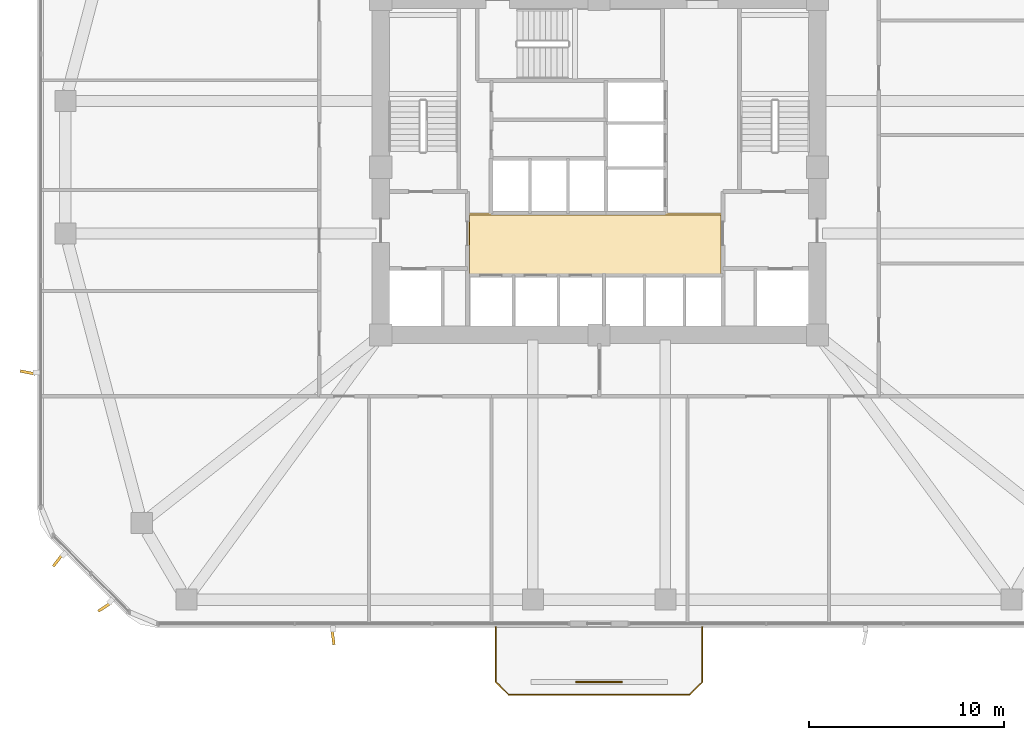
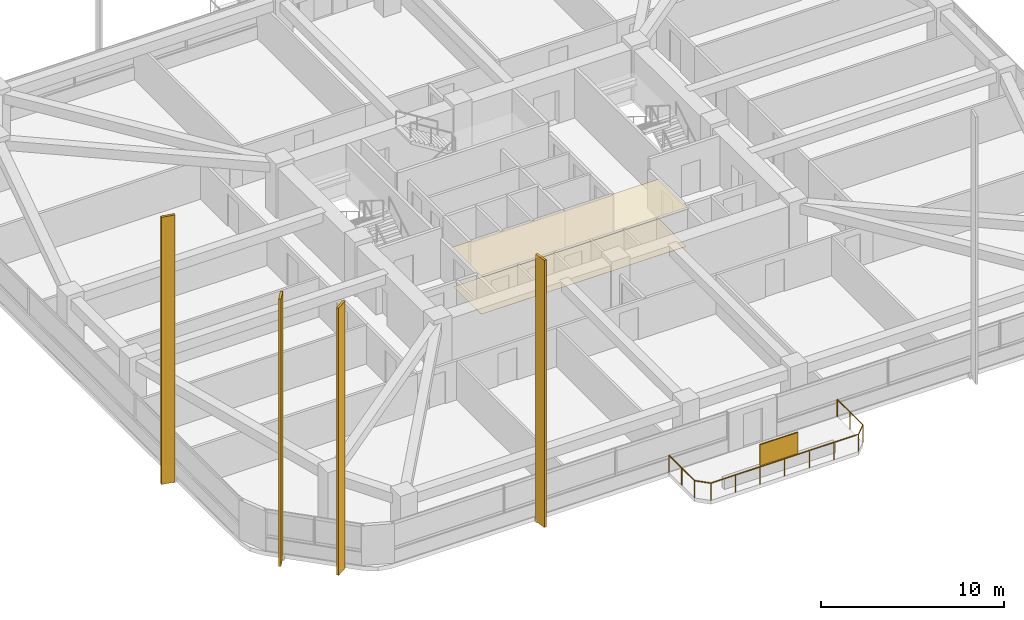
# One storey, part 13 of 17: 5 shading devices, 2 coverings, 1 railing.
"""IFC4 building model written with IfcOpenShell, lengths in metres."""

from ifc_helpers import new_model, si_unit, derived_unit, direction, frame, origin, origin_2d, place, context, subcontext, project, spatial, polyline, rectangle, outline, extrude, material, layer, layer_set, type_object, element, save


model = new_model("IFC4")

# Units and contexts
model_context = context("Model", 3, precision=1e-05, world=origin(), true_north=direction((0.0, 1.0)))
body_context = subcontext(model_context, "Body", "Model", "MODEL_VIEW")
ifc_project = project(units=[si_unit("LENGTHUNIT", "METRE"), si_unit("AREAUNIT", "SQUARE_METRE"), si_unit("VOLUMEUNIT", "CUBIC_METRE"), si_unit("PLANEANGLEUNIT", "RADIAN"), si_unit("MASSUNIT", "GRAM", prefix="KILO"), derived_unit("THERMALTRANSMITTANCEUNIT", [(si_unit("POWERUNIT", "WATT"), 1), (si_unit("LENGTHUNIT", "METRE"), -2), (si_unit("THERMODYNAMICTEMPERATUREUNIT", "KELVIN"), -1)])], contexts=[model_context])

# Site, building, storey
site_placement = place(None, origin())
site = spatial("IfcSite", under=ifc_project, at=site_placement, CompositionType="ELEMENT")
building_placement = place(site_placement, origin())
building = spatial("IfcBuilding", under=site, at=building_placement, Name="Koralith Skygarden Medical Center", CompositionType="ELEMENT")
storey_placement = place(building_placement, frame((0.0, 0.0, 67.139892578125)))
storey = spatial("IfcBuildingStorey", under=building, at=storey_placement, Name="L17", CompositionType="ELEMENT", Elevation=67.139892578125)

# Covering
ifc_material_1 = material(Name="Acoustic Mineral Tile")
ifc_layer_1 = layer(ifc_material_1, 0.02001953125)
ifc_layer_set_1 = layer_set([ifc_layer_1], Name="Acoustic Mineral Tile")
covering_type_1 = type_object("IfcCoveringType", Name="Acoustic Hygienic Mineral Ceiling 20", PredefinedType="CEILING", material=ifc_layer_set_1)
covering_1_placement = place(storey_placement, frame((0.0, 0.0, 2.565185546875)))
element("IfcCovering", 1, at=covering_1_placement, inside=storey, type_object=covering_type_1, Name="L17 Core Lobby Acoustic Ceiling", PredefinedType="CEILING", context=body_context, shape_type="SweptSolid", body=[
    extrude(outline(polyline([(30.25, 20.320068359375), (43.35009765625, 20.320068359375), (43.35009765625, 23.56005859375), (30.25, 23.56005859375), (30.25, 20.320068359375)])), origin(), (0.0, 0.0, 1.0), 0.02001953125),
])

# Shading devices
ifc_material_2 = material(Name="Aluminium 6063-T6", Category="aluminium")
shading_device_type_1 = type_object("IfcShadingDeviceType", Name="Limestone-Clad Solar Storm Fin 780", PredefinedType="USERDEFINED", material=ifc_material_2)
for number, where, z_axis, x_axis, name in (
    (2, (23.35009765625, 1.7900390625, -0.199951171875), (0.0, 0.0, 1.0), (0.134453160355, -0.990919950183, 0.0), "L17 S Harmonic Solar Storm Fin 1"),
    (3, (7.68994140625, 15.3701171875, -0.199951171875), (0.0, 0.0, 1.0), (-0.979335915684, 0.202240362568, 0.0), "L17 W Harmonic Solar Storm Fin 2"),
    (4, (9.239990234375, 5.738037109375, -0.199951171875), (0.0, 0.0, 1.0), (-0.605613474948, -0.795758957826, 0.0), "L17 SW Harmonic Solar Storm Fin 1"),
    (5, (11.637939453125, 3.340087890625, -0.199951171875), (0.0, 0.0, 1.0), (-0.835500598841, -0.549489535238, 0.0), "L17 SW Harmonic Solar Storm Fin 2"),
):
    element("IfcShadingDevice", number, at=place(storey_placement, frame(where, z_axis=z_axis, x_axis=x_axis)), inside=storey, type_object=shading_device_type_1, Name=name, ObjectType="SOLAR FIN", PredefinedType="USERDEFINED", context=body_context, shape_type="SweptSolid", body=[
        extrude(rectangle(XDim=0.780029296875, YDim=0.139892578125, at=origin_2d()), origin(), (0.0, 0.0, 1.0), 17.7900390625),
    ])

# Railing
ifc_material_3 = material(Name="Steel ASTM A500 Grade C", Category="steel")
railing_type = type_object("IfcRailingType", Name="Outdoor Terrace & Balcony Safety Guardrail 1180", PredefinedType="GUARDRAIL", material=ifc_material_3)
railing_placement = place(storey_placement, frame((31.699951171875, 2.300048828125, 0.0)))
element("IfcRailing", 6, at=railing_placement, inside=storey, type_object=railing_type, Name="L17 S Balcony Perimeter Guardrail", PredefinedType="GUARDRAIL", context=body_context, shape_type="SweptSolid", body=[
    extrude(rectangle(XDim=0.050048828125, YDim=0.050048828125, at=origin_2d()), frame((0.0, -0.001953125, 1.15478515625), z_axis=(0.0, -1.0, 0.0), x_axis=(1.0, 0.0, 0.0)), (0.0, 0.0, 1.0), 2.796142578125),
    extrude(rectangle(XDim=0.050048828125, YDim=0.050048828125, at=origin_2d()), frame((0.00146484375, -2.801513671875, 1.15478515625), z_axis=(0.707239558722, -0.706973978714, 0.0), x_axis=(0.706973978714, 0.707239558722, 0.0)), (0.0, 0.0, 1.0), 0.915283203125),
    extrude(rectangle(XDim=0.050048828125, YDim=0.050048828125, at=origin_2d()), frame((0.652099609375, -3.449951171875, 1.15478515625), z_axis=(1.0, 0.0, 0.0), x_axis=(0.0, 1.0, 0.0)), (0.0, 0.0, 1.0), 9.2958984375),
    extrude(rectangle(XDim=0.050048828125, YDim=0.050048828125, at=origin_2d()), frame((9.951416015625, -3.448486328125, 1.15478515625), z_axis=(0.707239558722, 0.706973978714, 0.0), x_axis=(-0.706973978714, 0.707239558722, 0.0)), (0.0, 0.0, 1.0), 0.915283203125),
    extrude(rectangle(XDim=0.050048828125, YDim=0.050048828125, at=origin_2d()), frame((10.60009765625, -2.798095703125, 1.15478515625), z_axis=(0.0, 1.0, 0.0), x_axis=(-1.0, 0.0, 0.0)), (0.0, 0.0, 1.0), 2.796142578125),
    extrude(rectangle(XDim=0.0419921875, YDim=0.0419921875, at=origin_2d()), origin(), (0.0, 0.0, 1.0), 1.1279296875),
    extrude(rectangle(XDim=0.0419921875, YDim=0.0419921875, at=origin_2d()), frame((0.0, -1.39990234375, 0.0)), (0.0, 0.0, 1.0), 1.1279296875),
    extrude(rectangle(XDim=0.0419921875, YDim=0.0419921875, at=origin_2d()), frame((0.0, -2.800048828125, 0.0)), (0.0, 0.0, 1.0), 1.1279296875),
    extrude(rectangle(XDim=0.0419921875, YDim=0.0419921875, at=origin_2d()), frame((0.650146484375, -3.449951171875, 0.0)), (0.0, 0.0, 1.0), 1.1279296875),
    extrude(rectangle(XDim=0.0419921875, YDim=0.0419921875, at=origin_2d()), frame((2.2001953125, -3.449951171875, 0.0)), (0.0, 0.0, 1.0), 1.1279296875),
    extrude(rectangle(XDim=0.0419921875, YDim=0.0419921875, at=origin_2d()), frame((3.75, -3.449951171875, 0.0)), (0.0, 0.0, 1.0), 1.1279296875),
    extrude(rectangle(XDim=0.0419921875, YDim=0.0419921875, at=origin_2d()), frame((5.300048828125, -3.449951171875, 0.0)), (0.0, 0.0, 1.0), 1.1279296875),
    extrude(rectangle(XDim=0.0419921875, YDim=0.0419921875, at=origin_2d()), frame((6.85009765625, -3.449951171875, 0.0)), (0.0, 0.0, 1.0), 1.1279296875),
    extrude(rectangle(XDim=0.0419921875, YDim=0.0419921875, at=origin_2d()), frame((8.39990234375, -3.449951171875, 0.0)), (0.0, 0.0, 1.0), 1.1279296875),
    extrude(rectangle(XDim=0.0419921875, YDim=0.0419921875, at=origin_2d()), frame((9.949951171875, -3.449951171875, 0.0)), (0.0, 0.0, 1.0), 1.1279296875),
    extrude(rectangle(XDim=0.0419921875, YDim=0.0419921875, at=origin_2d()), frame((10.60009765625, -2.800048828125, 0.0)), (0.0, 0.0, 1.0), 1.1279296875),
    extrude(rectangle(XDim=0.0419921875, YDim=0.0419921875, at=origin_2d()), frame((10.60009765625, -1.39990234375, 0.0)), (0.0, 0.0, 1.0), 1.1279296875),
    extrude(rectangle(XDim=0.0419921875, YDim=0.0419921875, at=origin_2d()), frame((10.60009765625, 0.0, 0.0)), (0.0, 0.0, 1.0), 1.1279296875),
])

# Shading device
ifc_layer_2 = layer(ifc_material_2, 0.080078125)
ifc_layer_set_2 = layer_set([ifc_layer_2], Name="Aluminium 6063-T6")
shading_device_type_2 = type_object("IfcShadingDeviceType", Name="Perforated Biophilic Balcony Trellis Screen", PredefinedType="USERDEFINED", material=ifc_layer_set_2)
shading_device_placement = place(storey_placement, frame((37.0, -0.5, 0.72021484375), z_axis=(0.0, 0.0, 1.0), x_axis=(1.0, 0.0, 0.0)))
element("IfcShadingDevice", 7, at=shading_device_placement, inside=storey, type_object=shading_device_type_2, Name="L17 S Biophilic Balcony Trellis Screen", ObjectType="HURRICANE SCREEN", PredefinedType="USERDEFINED", context=body_context, shape_type="SweptSolid", body=[
    extrude(rectangle(XDim=2.39990234375, YDim=0.080078125, at=origin_2d()), origin(), (0.0, 0.0, 1.0), 1.39990234375),
])

# Covering
ifc_material_4 = material(Name="Medical Terrazzo Flooring")
ifc_layer_3 = layer(ifc_material_4, 0.014892578125)
ifc_layer_set_3 = layer_set([ifc_layer_3], Name="Medical Terrazzo Flooring")
covering_type_2 = type_object("IfcCoveringType", Name="Seamless Antimicrobial Terrazzo Flooring 15", PredefinedType="FLOORING", material=ifc_layer_set_3)
covering_2_placement = place(storey_placement, origin())
element("IfcCovering", 8, at=covering_2_placement, inside=storey, type_object=covering_type_2, Name="L17 Core Lobby Terrazzo Flooring", PredefinedType="FLOORING", context=body_context, shape_type="SweptSolid", body=[
    extrude(outline(polyline([(30.35009765625, 20.419921875), (43.25, 20.419921875), (43.25, 23.4599609375), (30.35009765625, 23.4599609375), (30.35009765625, 20.419921875)])), origin(), (0.0, 0.0, 1.0), 0.01513671875),
])

save(model, "model.ifc")
